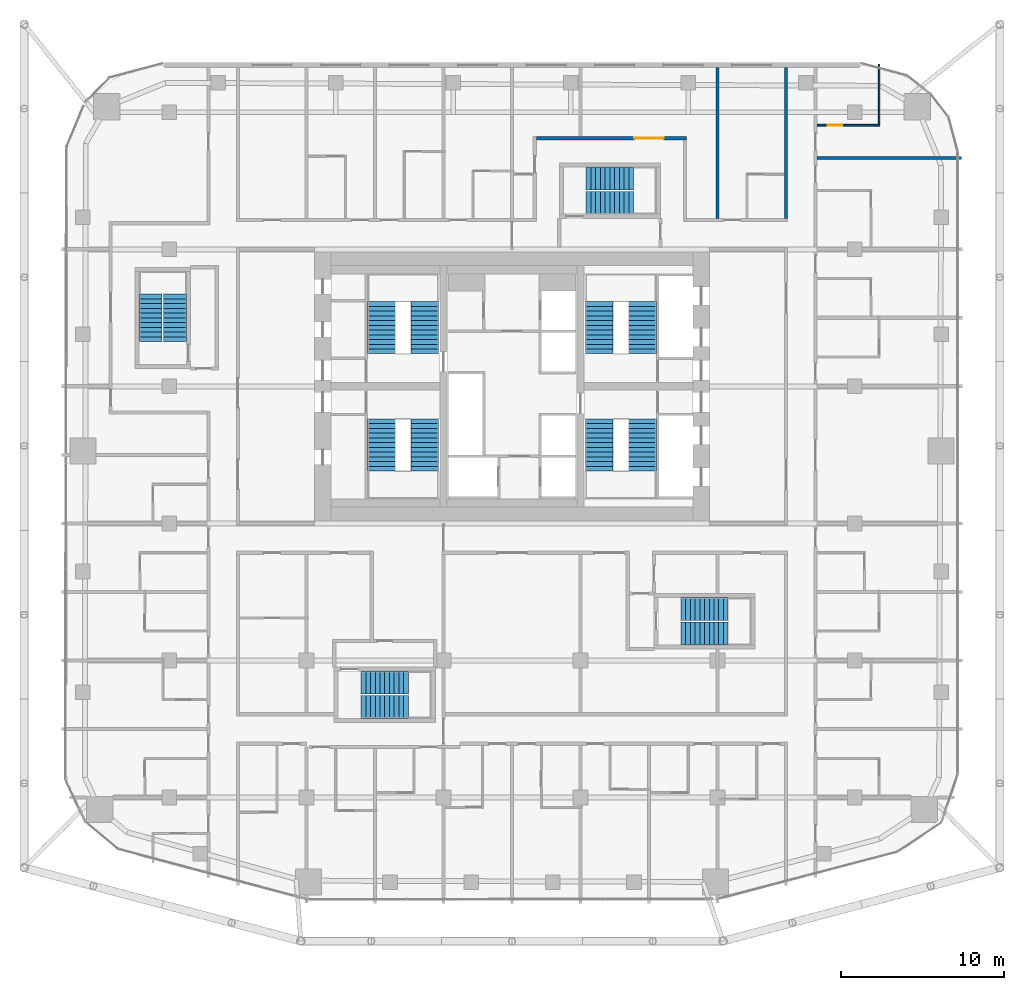
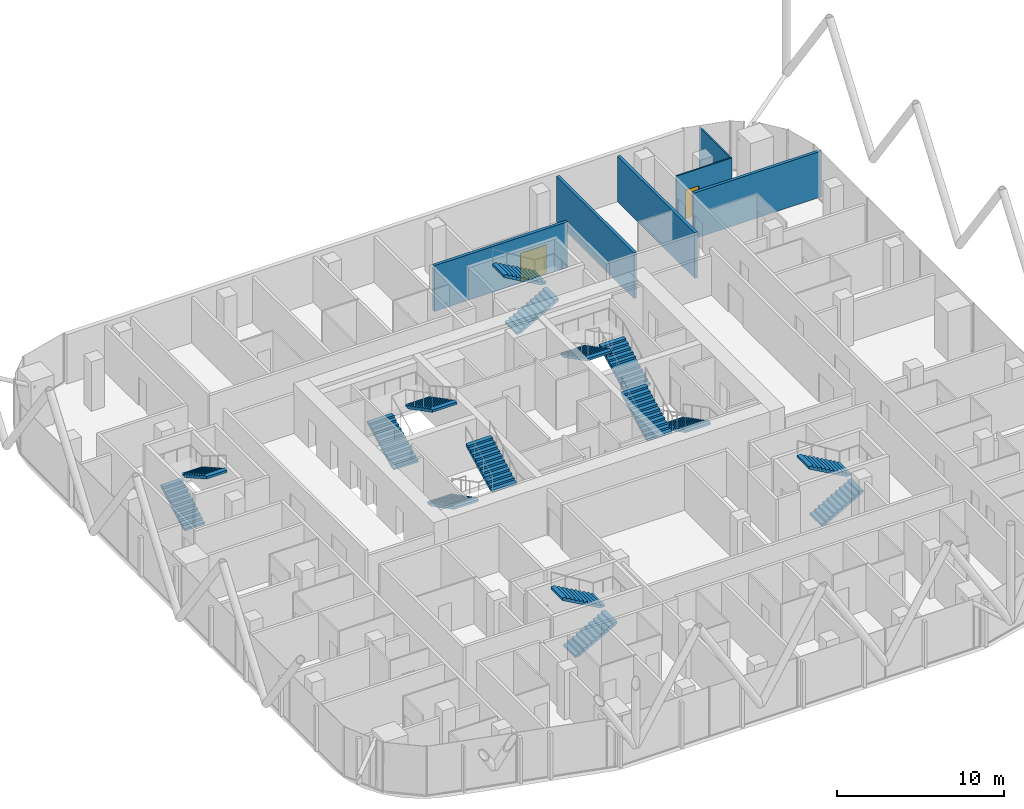
# One storey, part 31 of 33: 16 stair flights, 6 walls, 2 doors, 2 openings, 8 elements without a shape of their own.
"""IFC4 building model written with IfcOpenShell, lengths in metres."""

from ifc_helpers import new_model, si_unit, direction, frame, frame_2d, origin, place, context, subcontext, project, spatial, polyline, rectangle, outline, extrude, material, layer, layer_set, type_object, element, fill, aggregate, save


model = new_model("IFC4")

# Units and contexts
model_context = context("Model", 3, precision=1e-05, world=origin(), true_north=direction((0.0, 1.0)))
body_context = subcontext(model_context, "Body", "Model", "MODEL_VIEW")
ifc_project = project(units=[si_unit("LENGTHUNIT", "METRE"), si_unit("AREAUNIT", "SQUARE_METRE"), si_unit("VOLUMEUNIT", "CUBIC_METRE"), si_unit("PLANEANGLEUNIT", "RADIAN"), si_unit("MASSUNIT", "GRAM", prefix="KILO")], contexts=[model_context])

# Site, building, storey
site_placement = place(None, origin())
site = spatial("IfcSite", under=ifc_project, at=site_placement, CompositionType="ELEMENT")
building_placement = place(site_placement, origin())
building = spatial("IfcBuilding", under=site, at=building_placement, Name="Marenta Gate Hotel Tower", CompositionType="ELEMENT")
storey_placement = place(building_placement, frame((0.0, 0.0, 108.5)))
storey = spatial("IfcBuildingStorey", under=building, at=storey_placement, Name="L23", CompositionType="ELEMENT", Elevation=108.5)

# Wall
ifc_material_1 = material(Name="Gypsum board on steel stud", Category="steel")
ifc_layer_1 = layer(ifc_material_1, 0.199951171875)
ifc_layer_set_1 = layer_set([ifc_layer_1], Name="Gypsum board on steel stud")
wall_type_1 = type_object("IfcWallType", Name="Room corridor wall 200 EI 60", PredefinedType="PARTITIONING", material=ifc_layer_set_1)
wall_1_placement = place(storey_placement, frame((16.800048828125, 18.699951171875, 0.0), z_axis=(0.0, 0.0, 1.0), x_axis=(0.0, 1.0, 0.0)))
element("IfcWall", 1, at=wall_1_placement, inside=storey, type_object=wall_type_1, Name="L23-PTN-W018", PredefinedType="PARTITIONING", context=body_context, shape_type="SweptSolid", body=[
    extrude(rectangle(XDim=9.239990234375, YDim=0.199951171875, at=frame_2d((4.6201171875, 0.0))), origin(), (0.0, 0.0, 1.0), 3.340087890625),
])

# Wall, opening, door
wall_2_placement = place(storey_placement, frame((1.5, 23.60009765625, 0.0), z_axis=(0.0, 0.0, 1.0), x_axis=(1.0, 0.0, 0.0)))
wall_2 = element("IfcWall", 2, at=wall_2_placement, inside=storey, type_object=wall_type_1, Name="L23-PTN-W127", PredefinedType="PARTITIONING", context=body_context, shape_type="SweptSolid", body=[
    extrude(rectangle(XDim=9.199951171875, YDim=0.199951171875, at=frame_2d((4.60009765625, 0.0))), origin(), (0.0, 0.0, 1.0), 3.340087890625),
])
opening_1_placement = place(wall_2_placement, frame((6.0, 0.0, 0.0)))
opening_1 = element("IfcOpeningElement", 3, at=opening_1_placement, cuts=wall_2, Name="Opening G08-34", PredefinedType="OPENING", context=body_context, shape_type="SweptSolid", body=[
    extrude(rectangle(XDim=1.800048828125, YDim=2.10009765625, at=frame_2d((0.89990234375, 1.050048828125))), frame((0.0, 0.10009765625, 0.0), z_axis=(0.0, -1.0, 0.0), x_axis=(1.0, 0.0, 0.0)), (0.0, 0.0, 1.0), 0.199951171875),
])
ifc_material_2 = material(Name="Timber door leaf", Category="wood")
door_type_1 = type_object("IfcDoorType", Name="Room amenity door 1800x2100 EI 30", OperationType="DOUBLE_DOOR_SINGLE_SWING", PredefinedType="DOOR", material=ifc_material_2)
door_1_placement = place(opening_1_placement, origin())
door_1 = element("IfcDoor", 4, at=door_1_placement, inside=storey, type_object=door_type_1, Name="L23-PD-D034", OperationType="DOUBLE_DOOR_SINGLE_SWING", OverallHeight=2.10009765625, OverallWidth=1.800048828125, PredefinedType="DOOR", context=body_context, shape_type="SweptSolid", body=[
    extrude(rectangle(XDim=1.800048828125, YDim=2.10009765625, at=frame_2d((0.89990234375, 1.050048828125))), frame((0.0, 0.02490234375, 0.0), z_axis=(0.0, -1.0, 0.0), x_axis=(1.0, 0.0, 0.0)), (0.0, 0.0, 1.0), 0.050048828125),
])
fill(opening_1, door_1)

# Wall
ifc_material_3 = material(Name="Gypsum board on steel stud", Category="steel")
ifc_layer_2 = layer(ifc_material_3, 0.10009765625)
ifc_layer_set_2 = layer_set([ifc_layer_2], Name="Gypsum board on steel stud")
wall_type_2 = type_object("IfcWallType", Name="Room partition 100", PredefinedType="PARTITIONING", material=ifc_layer_set_2)
wall_3_placement = place(storey_placement, frame((22.5, 24.449951171875, 0.0), z_axis=(0.0, 0.0, 1.0), x_axis=(0.0, 1.0, 0.0)))
element("IfcWall", 5, at=wall_3_placement, inside=storey, type_object=wall_type_2, Name="L23-PTN-W004", PredefinedType="PARTITIONING", context=body_context, shape_type="SweptSolid", body=[
    extrude(rectangle(XDim=3.692138671875, YDim=0.10009765625, at=frame_2d((1.84619140625, 0.0))), origin(), (0.0, 0.0, 1.0), 3.340087890625),
])

# Wall, opening, door
wall_4_placement = place(storey_placement, frame((18.699951171875, 24.39990234375, 0.0), z_axis=(0.0, 0.0, 1.0), x_axis=(1.0, 0.0, 0.0)))
wall_4 = element("IfcWall", 6, at=wall_4_placement, inside=storey, type_object=wall_type_2, Name="L23-PTN-W128", PredefinedType="PARTITIONING", context=body_context, shape_type="SweptSolid", body=[
    extrude(rectangle(XDim=3.85009765625, YDim=0.10009765625, at=frame_2d((1.925048828125, 0.0))), origin(), (0.0, 0.0, 1.0), 3.340087890625),
])
opening_2_placement = place(wall_4_placement, frame((0.64501953125, 0.0, 0.0)))
opening_2 = element("IfcOpeningElement", 7, at=opening_2_placement, cuts=wall_4, Name="Opening G08-24", PredefinedType="OPENING", context=body_context, shape_type="SweptSolid", body=[
    extrude(rectangle(XDim=0.89990234375, YDim=2.10009765625, at=frame_2d((0.449951171875, 1.050048828125))), frame((0.0, 0.050048828125, 0.0), z_axis=(0.0, -1.0, 0.0), x_axis=(1.0, 0.0, 0.0)), (0.0, 0.0, 1.0), 0.10009765625),
])
ifc_material_4 = material(Name="Timber door leaf", Category="wood")
door_type_2 = type_object("IfcDoorType", Name="Guest bathroom door 900x2100", OperationType="NOTDEFINED", PredefinedType="DOOR", material=ifc_material_4)
door_2_placement = place(opening_2_placement, origin())
door_2 = element("IfcDoor", 8, at=door_2_placement, inside=storey, type_object=door_type_2, Name="L23-PD-D024", OperationType="SINGLE_SWING_RIGHT", OverallHeight=2.10009765625, OverallWidth=0.89990234375, PredefinedType="DOOR", context=body_context, shape_type="SweptSolid", body=[
    extrude(rectangle(XDim=0.89990234375, YDim=2.10009765625, at=frame_2d((0.449951171875, 1.050048828125))), frame((0.0, 0.02490234375, 0.0), z_axis=(0.0, -1.0, 0.0), x_axis=(1.0, 0.0, 0.0)), (0.0, 0.0, 1.0), 0.050048828125),
])
fill(opening_2, door_2)

# Walls
ifc_material_5 = material(Name="Gypsum board on steel stud", Category="steel")
ifc_layer_3 = layer(ifc_material_5, 0.199951171875)
ifc_layer_set_3 = layer_set([ifc_layer_3], Name="Gypsum board on steel stud")
wall_type_3 = type_object("IfcWallType", Name="Room party wall 200 EI 60", PredefinedType="PARTITIONING", material=ifc_layer_set_3)
wall_5_placement = place(storey_placement, frame((12.60009765625, 18.699951171875, 0.0), z_axis=(0.0, 0.0, 1.0), x_axis=(0.0, 1.0, 0.0)))
element("IfcWall", 9, at=wall_5_placement, inside=storey, type_object=wall_type_3, Name="L23-PTN-W034", PredefinedType="PARTITIONING", context=body_context, shape_type="SweptSolid", body=[
    extrude(rectangle(XDim=9.239990234375, YDim=0.199951171875, at=frame_2d((4.6201171875, 0.0))), origin(), (0.0, 0.0, 1.0), 3.340087890625),
])
wall_6_placement = place(storey_placement, frame((18.699951171875, 22.39990234375, 0.0), z_axis=(0.0, 0.0, 1.0), x_axis=(1.0, 0.0, 0.0)))
element("IfcWall", 10, at=wall_6_placement, inside=storey, type_object=wall_type_3, Name="L23-PTN-W121", PredefinedType="PARTITIONING", context=body_context, shape_type="SweptSolid", body=[
    extrude(rectangle(XDim=8.84716796875, YDim=0.199951171875, at=frame_2d((4.423583984375, 0.0))), origin(), (0.0, 0.0, 1.0), 3.340087890625),
])

# Stair, stair flights
ifc_material_6 = material(Name="Concrete C40", Category="concrete")
stair_type_1 = type_object("IfcStairType", Name="Core exit stair 1700 wide", PredefinedType="HALF_TURN_STAIR", material=ifc_material_6)
stair_1_placement = place(storey_placement, origin())
stair_1 = element("IfcStair", 11, at=stair_1_placement, inside=storey, type_object=stair_type_1, Name="Exit stair 1", PredefinedType="HALF_TURN_STAIR")
ifc_material_7 = material(Name="Concrete C40", Category="concrete")
stair_flight_type_1 = type_object("IfcStairFlightType", Name="Core stair flight 1700 riser 150.0 going 290", PredefinedType="STRAIGHT", material=ifc_material_7)
stair_flight_1_placement = place(storey_placement, frame((-8.0, 6.39990234375, 0.0), z_axis=(0.0, 0.0, 1.0), x_axis=(0.0, -1.0, 0.0)))
stair_flight_1 = element("IfcStairFlight", 12, at=stair_flight_1_placement, type_object=stair_flight_type_1, Name="ST1 flight 1", NumberOfRisers=12, NumberOfTreads=11, PredefinedType="STRAIGHT", RiserHeight=0.15, TreadLength=0.29, context=body_context, shape_type="SweptSolid", body=[
    extrude(outline(polyline([(0.0, 0.0), (0.0, 0.14990234375), (0.2900390625, 0.14990234375), (0.2900390625, 0.300048828125), (0.580078125, 0.300048828125), (0.580078125, 0.449951171875), (0.8701171875, 0.449951171875), (0.8701171875, 0.60009765625), (1.159912109375, 0.60009765625), (1.159912109375, 0.75), (1.449951171875, 0.75), (1.449951171875, 0.89990234375), (1.739990234375, 0.89990234375), (1.739990234375, 1.050048828125), (2.030029296875, 1.050048828125), (2.030029296875, 1.199951171875), (2.320068359375, 1.199951171875), (2.320068359375, 1.35009765625), (2.610107421875, 1.35009765625), (2.610107421875, 1.5), (2.89990234375, 1.5), (2.89990234375, 1.64990234375), (3.18994140625, 1.64990234375), (3.18994140625, 1.800048828125), (3.18994140625, 1.481201171875), (0.326171875, 0.0), (0.0, 0.0)])), frame((0.0, 0.85009765625, 0.0), z_axis=(0.0, -1.0, 0.0), x_axis=(1.0, 0.0, 0.0)), (0.0, 0.0, 1.0), 1.699951171875),
])
stair_flight_2_placement = place(storey_placement, frame((-5.35009765625, 3.2099609375, 1.800048828125), z_axis=(0.0, 0.0, 1.0), x_axis=(0.0, 1.0, 0.0)))
stair_flight_2 = element("IfcStairFlight", 13, at=stair_flight_2_placement, type_object=stair_flight_type_1, Name="ST1 flight 2", NumberOfRisers=12, NumberOfTreads=11, PredefinedType="STRAIGHT", RiserHeight=0.15, TreadLength=0.29, context=body_context, shape_type="SweptSolid", body=[
    extrude(outline(polyline([(0.0, 0.0), (0.0, 0.14990234375), (0.2900390625, 0.14990234375), (0.2900390625, 0.300048828125), (0.580078125, 0.300048828125), (0.580078125, 0.449951171875), (0.8701171875, 0.449951171875), (0.8701171875, 0.60009765625), (1.159912109375, 0.60009765625), (1.159912109375, 0.75), (1.449951171875, 0.75), (1.449951171875, 0.89990234375), (1.739990234375, 0.89990234375), (1.739990234375, 1.050048828125), (2.030029296875, 1.050048828125), (2.030029296875, 1.199951171875), (2.320068359375, 1.199951171875), (2.320068359375, 1.35009765625), (2.610107421875, 1.35009765625), (2.610107421875, 1.5), (2.89990234375, 1.5), (2.89990234375, 1.64990234375), (3.18994140625, 1.64990234375), (3.18994140625, 1.800048828125), (3.18994140625, 1.481201171875), (0.326171875, 0.0), (0.0, 0.0)])), frame((0.0, 0.85009765625, 0.0), z_axis=(0.0, -1.0, 0.0), x_axis=(1.0, 0.0, 0.0)), (0.0, 0.0, 1.0), 1.699951171875),
])
aggregate(stair_1, [stair_flight_1, stair_flight_2])

stair_2_placement = place(storey_placement, origin())
stair_2 = element("IfcStair", 14, at=stair_2_placement, inside=storey, type_object=stair_type_1, Name="Exit stair 2", PredefinedType="HALF_TURN_STAIR")
stair_flight_3_placement = place(storey_placement, frame((-8.0, 10.39990234375, 0.0), z_axis=(0.0, 0.0, 1.0), x_axis=(0.0, 1.0, 0.0)))
stair_flight_3 = element("IfcStairFlight", 15, at=stair_flight_3_placement, type_object=stair_flight_type_1, Name="ST2 flight 1", NumberOfRisers=12, NumberOfTreads=11, PredefinedType="STRAIGHT", RiserHeight=0.15, TreadLength=0.29, context=body_context, shape_type="SweptSolid", body=[
    extrude(outline(polyline([(0.0, 0.0), (0.0, 0.14990234375), (0.2900390625, 0.14990234375), (0.2900390625, 0.300048828125), (0.580078125, 0.300048828125), (0.580078125, 0.449951171875), (0.8701171875, 0.449951171875), (0.8701171875, 0.60009765625), (1.159912109375, 0.60009765625), (1.159912109375, 0.75), (1.449951171875, 0.75), (1.449951171875, 0.89990234375), (1.739990234375, 0.89990234375), (1.739990234375, 1.050048828125), (2.030029296875, 1.050048828125), (2.030029296875, 1.199951171875), (2.320068359375, 1.199951171875), (2.320068359375, 1.35009765625), (2.610107421875, 1.35009765625), (2.610107421875, 1.5), (2.89990234375, 1.5), (2.89990234375, 1.64990234375), (3.18994140625, 1.64990234375), (3.18994140625, 1.800048828125), (3.18994140625, 1.481201171875), (0.326171875, 0.0), (0.0, 0.0)])), frame((0.0, 0.85009765625, 0.0), z_axis=(0.0, -1.0, 0.0), x_axis=(1.0, 0.0, 0.0)), (0.0, 0.0, 1.0), 1.699951171875),
])
stair_flight_4_placement = place(storey_placement, frame((-5.35009765625, 13.590087890625, 1.800048828125), z_axis=(0.0, 0.0, 1.0), x_axis=(0.0, -1.0, 0.0)))
stair_flight_4 = element("IfcStairFlight", 16, at=stair_flight_4_placement, type_object=stair_flight_type_1, Name="ST2 flight 2", NumberOfRisers=12, NumberOfTreads=11, PredefinedType="STRAIGHT", RiserHeight=0.15, TreadLength=0.29, context=body_context, shape_type="SweptSolid", body=[
    extrude(outline(polyline([(0.0, 0.0), (0.0, 0.14990234375), (0.2900390625, 0.14990234375), (0.2900390625, 0.300048828125), (0.580078125, 0.300048828125), (0.580078125, 0.449951171875), (0.8701171875, 0.449951171875), (0.8701171875, 0.60009765625), (1.159912109375, 0.60009765625), (1.159912109375, 0.75), (1.449951171875, 0.75), (1.449951171875, 0.89990234375), (1.739990234375, 0.89990234375), (1.739990234375, 1.050048828125), (2.030029296875, 1.050048828125), (2.030029296875, 1.199951171875), (2.320068359375, 1.199951171875), (2.320068359375, 1.35009765625), (2.610107421875, 1.35009765625), (2.610107421875, 1.5), (2.89990234375, 1.5), (2.89990234375, 1.64990234375), (3.18994140625, 1.64990234375), (3.18994140625, 1.800048828125), (3.18994140625, 1.481201171875), (0.326171875, 0.0), (0.0, 0.0)])), frame((0.0, 0.85009765625, 0.0), z_axis=(0.0, -1.0, 0.0), x_axis=(1.0, 0.0, 0.0)), (0.0, 0.0, 1.0), 1.699951171875),
])
aggregate(stair_2, [stair_flight_3, stair_flight_4])

stair_3_placement = place(storey_placement, origin())
stair_3 = element("IfcStair", 17, at=stair_3_placement, inside=storey, type_object=stair_type_1, Name="Exit stair 3", PredefinedType="HALF_TURN_STAIR")
stair_flight_5_placement = place(storey_placement, frame((8.0, 6.39990234375, 0.0), z_axis=(0.0, 0.0, 1.0), x_axis=(0.0, -1.0, 0.0)))
stair_flight_5 = element("IfcStairFlight", 18, at=stair_flight_5_placement, type_object=stair_flight_type_1, Name="ST3 flight 1", NumberOfRisers=12, NumberOfTreads=11, PredefinedType="STRAIGHT", RiserHeight=0.15, TreadLength=0.29, context=body_context, shape_type="SweptSolid", body=[
    extrude(outline(polyline([(0.0, 0.0), (0.0, 0.14990234375), (0.2900390625, 0.14990234375), (0.2900390625, 0.300048828125), (0.580078125, 0.300048828125), (0.580078125, 0.449951171875), (0.8701171875, 0.449951171875), (0.8701171875, 0.60009765625), (1.159912109375, 0.60009765625), (1.159912109375, 0.75), (1.449951171875, 0.75), (1.449951171875, 0.89990234375), (1.739990234375, 0.89990234375), (1.739990234375, 1.050048828125), (2.030029296875, 1.050048828125), (2.030029296875, 1.199951171875), (2.320068359375, 1.199951171875), (2.320068359375, 1.35009765625), (2.610107421875, 1.35009765625), (2.610107421875, 1.5), (2.89990234375, 1.5), (2.89990234375, 1.64990234375), (3.18994140625, 1.64990234375), (3.18994140625, 1.800048828125), (3.18994140625, 1.481201171875), (0.326171875, 0.0), (0.0, 0.0)])), frame((0.0, 0.85009765625, 0.0), z_axis=(0.0, -1.0, 0.0), x_axis=(1.0, 0.0, 0.0)), (0.0, 0.0, 1.0), 1.699951171875),
])
stair_flight_6_placement = place(storey_placement, frame((5.35009765625, 3.2099609375, 1.800048828125), z_axis=(0.0, 0.0, 1.0), x_axis=(0.0, 1.0, 0.0)))
stair_flight_6 = element("IfcStairFlight", 19, at=stair_flight_6_placement, type_object=stair_flight_type_1, Name="ST3 flight 2", NumberOfRisers=12, NumberOfTreads=11, PredefinedType="STRAIGHT", RiserHeight=0.15, TreadLength=0.29, context=body_context, shape_type="SweptSolid", body=[
    extrude(outline(polyline([(0.0, 0.0), (0.0, 0.14990234375), (0.2900390625, 0.14990234375), (0.2900390625, 0.300048828125), (0.580078125, 0.300048828125), (0.580078125, 0.449951171875), (0.8701171875, 0.449951171875), (0.8701171875, 0.60009765625), (1.159912109375, 0.60009765625), (1.159912109375, 0.75), (1.449951171875, 0.75), (1.449951171875, 0.89990234375), (1.739990234375, 0.89990234375), (1.739990234375, 1.050048828125), (2.030029296875, 1.050048828125), (2.030029296875, 1.199951171875), (2.320068359375, 1.199951171875), (2.320068359375, 1.35009765625), (2.610107421875, 1.35009765625), (2.610107421875, 1.5), (2.89990234375, 1.5), (2.89990234375, 1.64990234375), (3.18994140625, 1.64990234375), (3.18994140625, 1.800048828125), (3.18994140625, 1.481201171875), (0.326171875, 0.0), (0.0, 0.0)])), frame((0.0, 0.85009765625, 0.0), z_axis=(0.0, -1.0, 0.0), x_axis=(1.0, 0.0, 0.0)), (0.0, 0.0, 1.0), 1.699951171875),
])
aggregate(stair_3, [stair_flight_5, stair_flight_6])

stair_4_placement = place(storey_placement, origin())
stair_4 = element("IfcStair", 20, at=stair_4_placement, inside=storey, type_object=stair_type_1, Name="Exit stair 4", PredefinedType="HALF_TURN_STAIR")
stair_flight_7_placement = place(storey_placement, frame((8.0, 10.39990234375, 0.0), z_axis=(0.0, 0.0, 1.0), x_axis=(0.0, 1.0, 0.0)))
stair_flight_7 = element("IfcStairFlight", 21, at=stair_flight_7_placement, type_object=stair_flight_type_1, Name="ST4 flight 1", NumberOfRisers=12, NumberOfTreads=11, PredefinedType="STRAIGHT", RiserHeight=0.15, TreadLength=0.29, context=body_context, shape_type="SweptSolid", body=[
    extrude(outline(polyline([(0.0, 0.0), (0.0, 0.14990234375), (0.2900390625, 0.14990234375), (0.2900390625, 0.300048828125), (0.580078125, 0.300048828125), (0.580078125, 0.449951171875), (0.8701171875, 0.449951171875), (0.8701171875, 0.60009765625), (1.159912109375, 0.60009765625), (1.159912109375, 0.75), (1.449951171875, 0.75), (1.449951171875, 0.89990234375), (1.739990234375, 0.89990234375), (1.739990234375, 1.050048828125), (2.030029296875, 1.050048828125), (2.030029296875, 1.199951171875), (2.320068359375, 1.199951171875), (2.320068359375, 1.35009765625), (2.610107421875, 1.35009765625), (2.610107421875, 1.5), (2.89990234375, 1.5), (2.89990234375, 1.64990234375), (3.18994140625, 1.64990234375), (3.18994140625, 1.800048828125), (3.18994140625, 1.481201171875), (0.326171875, 0.0), (0.0, 0.0)])), frame((0.0, 0.85009765625, 0.0), z_axis=(0.0, -1.0, 0.0), x_axis=(1.0, 0.0, 0.0)), (0.0, 0.0, 1.0), 1.699951171875),
])
stair_flight_8_placement = place(storey_placement, frame((5.35009765625, 13.590087890625, 1.800048828125), z_axis=(0.0, 0.0, 1.0), x_axis=(0.0, -1.0, 0.0)))
stair_flight_8 = element("IfcStairFlight", 22, at=stair_flight_8_placement, type_object=stair_flight_type_1, Name="ST4 flight 2", NumberOfRisers=12, NumberOfTreads=11, PredefinedType="STRAIGHT", RiserHeight=0.15, TreadLength=0.29, context=body_context, shape_type="SweptSolid", body=[
    extrude(outline(polyline([(0.0, 0.0), (0.0, 0.14990234375), (0.2900390625, 0.14990234375), (0.2900390625, 0.300048828125), (0.580078125, 0.300048828125), (0.580078125, 0.449951171875), (0.8701171875, 0.449951171875), (0.8701171875, 0.60009765625), (1.159912109375, 0.60009765625), (1.159912109375, 0.75), (1.449951171875, 0.75), (1.449951171875, 0.89990234375), (1.739990234375, 0.89990234375), (1.739990234375, 1.050048828125), (2.030029296875, 1.050048828125), (2.030029296875, 1.199951171875), (2.320068359375, 1.199951171875), (2.320068359375, 1.35009765625), (2.610107421875, 1.35009765625), (2.610107421875, 1.5), (2.89990234375, 1.5), (2.89990234375, 1.64990234375), (3.18994140625, 1.64990234375), (3.18994140625, 1.800048828125), (3.18994140625, 1.481201171875), (0.326171875, 0.0), (0.0, 0.0)])), frame((0.0, 0.85009765625, 0.0), z_axis=(0.0, -1.0, 0.0), x_axis=(1.0, 0.0, 0.0)), (0.0, 0.0, 1.0), 1.699951171875),
])
aggregate(stair_4, [stair_flight_7, stair_flight_8])

ifc_material_8 = material(Name="Concrete C40", Category="concrete")
stair_type_2 = type_object("IfcStairType", Name="Remote exit stair 1400 wide", PredefinedType="HALF_TURN_STAIR", material=ifc_material_8)
stair_5_placement = place(storey_placement, origin())
stair_5 = element("IfcStair", 23, at=stair_5_placement, inside=storey, type_object=stair_type_2, Name="Exit stair RS-Z1-3", PredefinedType="HALF_TURN_STAIR")
ifc_material_9 = material(Name="Concrete C40", Category="concrete")
stair_flight_type_2 = type_object("IfcStairFlightType", Name="Remote stair flight 1400 riser 163.6 going 290", PredefinedType="STRAIGHT", material=ifc_material_9)
stair_flight_9_placement = place(storey_placement, frame((-22.14990234375, 11.14990234375, 0.0), z_axis=(0.0, 0.0, 1.0), x_axis=(0.0, 1.0, 0.0)))
stair_flight_9 = element("IfcStairFlight", 24, at=stair_flight_9_placement, type_object=stair_flight_type_2, Name="RS-Z1-3 flight 1", NumberOfRisers=11, NumberOfTreads=10, PredefinedType="STRAIGHT", RiserHeight=0.163636, TreadLength=0.29, context=body_context, shape_type="SweptSolid", body=[
    extrude(outline(polyline([(0.0, 0.0), (0.0, 0.16357421875), (0.2900390625, 0.16357421875), (0.2900390625, 0.327392578125), (0.580078125, 0.327392578125), (0.580078125, 0.490966796875), (0.8701171875, 0.490966796875), (0.8701171875, 0.654541015625), (1.159912109375, 0.654541015625), (1.159912109375, 0.818115234375), (1.449951171875, 0.818115234375), (1.449951171875, 0.98193359375), (1.739990234375, 0.98193359375), (1.739990234375, 1.1455078125), (2.030029296875, 1.1455078125), (2.030029296875, 1.30908203125), (2.320068359375, 1.30908203125), (2.320068359375, 1.47265625), (2.610107421875, 1.47265625), (2.610107421875, 1.636474609375), (2.89990234375, 1.636474609375), (2.89990234375, 1.800048828125), (2.89990234375, 1.46435546875), (0.304931640625, 0.0), (0.0, 0.0)])), frame((0.0, 0.699951171875, 0.0), z_axis=(0.0, -1.0, 0.0), x_axis=(1.0, 0.0, 0.0)), (0.0, 0.0, 1.0), 1.39990234375),
])
stair_flight_10_placement = place(storey_placement, frame((-20.64990234375, 14.050048828125, 1.800048828125), z_axis=(0.0, 0.0, 1.0), x_axis=(0.0, -1.0, 0.0)))
stair_flight_10 = element("IfcStairFlight", 25, at=stair_flight_10_placement, type_object=stair_flight_type_2, Name="RS-Z1-3 flight 2", NumberOfRisers=11, NumberOfTreads=10, PredefinedType="STRAIGHT", RiserHeight=0.163636, TreadLength=0.29, context=body_context, shape_type="SweptSolid", body=[
    extrude(outline(polyline([(0.0, 0.0), (0.0, 0.16357421875), (0.2900390625, 0.16357421875), (0.2900390625, 0.327392578125), (0.580078125, 0.327392578125), (0.580078125, 0.490966796875), (0.8701171875, 0.490966796875), (0.8701171875, 0.654541015625), (1.159912109375, 0.654541015625), (1.159912109375, 0.818115234375), (1.449951171875, 0.818115234375), (1.449951171875, 0.98193359375), (1.739990234375, 0.98193359375), (1.739990234375, 1.1455078125), (2.030029296875, 1.1455078125), (2.030029296875, 1.30908203125), (2.320068359375, 1.30908203125), (2.320068359375, 1.47265625), (2.610107421875, 1.47265625), (2.610107421875, 1.636474609375), (2.89990234375, 1.636474609375), (2.89990234375, 1.800048828125), (2.89990234375, 1.46435546875), (0.304931640625, 0.0), (0.0, 0.0)])), frame((0.0, 0.699951171875, 0.0), z_axis=(0.0, -1.0, 0.0), x_axis=(1.0, 0.0, 0.0)), (0.0, 0.0, 1.0), 1.39990234375),
])
aggregate(stair_5, [stair_flight_9, stair_flight_10])

stair_6_placement = place(storey_placement, origin())
stair_6 = element("IfcStair", 26, at=stair_6_placement, inside=storey, type_object=stair_type_2, Name="Exit stair RS-Z2-1", PredefinedType="HALF_TURN_STAIR")
stair_flight_11_placement = place(storey_placement, frame((-9.25, -11.25, 0.0), z_axis=(0.0, 0.0, 1.0), x_axis=(1.0, 0.0, 0.0)))
stair_flight_11 = element("IfcStairFlight", 27, at=stair_flight_11_placement, type_object=stair_flight_type_2, Name="RS-Z2-1 flight 1", NumberOfRisers=11, NumberOfTreads=10, PredefinedType="STRAIGHT", RiserHeight=0.163636, TreadLength=0.29, context=body_context, shape_type="SweptSolid", body=[
    extrude(outline(polyline([(0.0, 0.0), (0.0, 0.16357421875), (0.2900390625, 0.16357421875), (0.2900390625, 0.327392578125), (0.580078125, 0.327392578125), (0.580078125, 0.490966796875), (0.8701171875, 0.490966796875), (0.8701171875, 0.654541015625), (1.159912109375, 0.654541015625), (1.159912109375, 0.818115234375), (1.449951171875, 0.818115234375), (1.449951171875, 0.98193359375), (1.739990234375, 0.98193359375), (1.739990234375, 1.1455078125), (2.030029296875, 1.1455078125), (2.030029296875, 1.30908203125), (2.320068359375, 1.30908203125), (2.320068359375, 1.47265625), (2.610107421875, 1.47265625), (2.610107421875, 1.636474609375), (2.89990234375, 1.636474609375), (2.89990234375, 1.800048828125), (2.89990234375, 1.46435546875), (0.304931640625, 0.0), (0.0, 0.0)])), frame((0.0, 0.699951171875, 0.0), z_axis=(0.0, -1.0, 0.0), x_axis=(1.0, 0.0, 0.0)), (0.0, 0.0, 1.0), 1.39990234375),
])
stair_flight_12_placement = place(storey_placement, frame((-6.35009765625, -9.75, 1.800048828125), z_axis=(0.0, 0.0, 1.0), x_axis=(-1.0, 0.0, 0.0)))
stair_flight_12 = element("IfcStairFlight", 28, at=stair_flight_12_placement, type_object=stair_flight_type_2, Name="RS-Z2-1 flight 2", NumberOfRisers=11, NumberOfTreads=10, PredefinedType="STRAIGHT", RiserHeight=0.163636, TreadLength=0.29, context=body_context, shape_type="SweptSolid", body=[
    extrude(outline(polyline([(0.0, 0.0), (0.0, 0.16357421875), (0.2900390625, 0.16357421875), (0.2900390625, 0.327392578125), (0.580078125, 0.327392578125), (0.580078125, 0.490966796875), (0.8701171875, 0.490966796875), (0.8701171875, 0.654541015625), (1.159912109375, 0.654541015625), (1.159912109375, 0.818115234375), (1.449951171875, 0.818115234375), (1.449951171875, 0.98193359375), (1.739990234375, 0.98193359375), (1.739990234375, 1.1455078125), (2.030029296875, 1.1455078125), (2.030029296875, 1.30908203125), (2.320068359375, 1.30908203125), (2.320068359375, 1.47265625), (2.610107421875, 1.47265625), (2.610107421875, 1.636474609375), (2.89990234375, 1.636474609375), (2.89990234375, 1.800048828125), (2.89990234375, 1.46435546875), (0.304931640625, 0.0), (0.0, 0.0)])), frame((0.0, 0.699951171875, 0.0), z_axis=(0.0, -1.0, 0.0), x_axis=(1.0, 0.0, 0.0)), (0.0, 0.0, 1.0), 1.39990234375),
])
aggregate(stair_6, [stair_flight_11, stair_flight_12])

stair_7_placement = place(storey_placement, origin())
stair_7 = element("IfcStair", 29, at=stair_7_placement, inside=storey, type_object=stair_type_2, Name="Exit stair RS-Z2-2", PredefinedType="HALF_TURN_STAIR")
stair_flight_13_placement = place(storey_placement, frame((10.35009765625, -6.75, 0.0), z_axis=(0.0, 0.0, 1.0), x_axis=(1.0, 0.0, 0.0)))
stair_flight_13 = element("IfcStairFlight", 30, at=stair_flight_13_placement, type_object=stair_flight_type_2, Name="RS-Z2-2 flight 1", NumberOfRisers=11, NumberOfTreads=10, PredefinedType="STRAIGHT", RiserHeight=0.163636, TreadLength=0.29, context=body_context, shape_type="SweptSolid", body=[
    extrude(outline(polyline([(0.0, 0.0), (0.0, 0.16357421875), (0.2900390625, 0.16357421875), (0.2900390625, 0.327392578125), (0.580078125, 0.327392578125), (0.580078125, 0.490966796875), (0.8701171875, 0.490966796875), (0.8701171875, 0.654541015625), (1.159912109375, 0.654541015625), (1.159912109375, 0.818115234375), (1.449951171875, 0.818115234375), (1.449951171875, 0.98193359375), (1.739990234375, 0.98193359375), (1.739990234375, 1.1455078125), (2.030029296875, 1.1455078125), (2.030029296875, 1.30908203125), (2.320068359375, 1.30908203125), (2.320068359375, 1.47265625), (2.610107421875, 1.47265625), (2.610107421875, 1.636474609375), (2.89990234375, 1.636474609375), (2.89990234375, 1.800048828125), (2.89990234375, 1.46435546875), (0.304931640625, 0.0), (0.0, 0.0)])), frame((0.0, 0.699951171875, 0.0), z_axis=(0.0, -1.0, 0.0), x_axis=(1.0, 0.0, 0.0)), (0.0, 0.0, 1.0), 1.39990234375),
])
stair_flight_14_placement = place(storey_placement, frame((13.25, -5.25, 1.800048828125), z_axis=(0.0, 0.0, 1.0), x_axis=(-1.0, 0.0, 0.0)))
stair_flight_14 = element("IfcStairFlight", 31, at=stair_flight_14_placement, type_object=stair_flight_type_2, Name="RS-Z2-2 flight 2", NumberOfRisers=11, NumberOfTreads=10, PredefinedType="STRAIGHT", RiserHeight=0.163636, TreadLength=0.29, context=body_context, shape_type="SweptSolid", body=[
    extrude(outline(polyline([(0.0, 0.0), (0.0, 0.16357421875), (0.2900390625, 0.16357421875), (0.2900390625, 0.327392578125), (0.580078125, 0.327392578125), (0.580078125, 0.490966796875), (0.8701171875, 0.490966796875), (0.8701171875, 0.654541015625), (1.159912109375, 0.654541015625), (1.159912109375, 0.818115234375), (1.449951171875, 0.818115234375), (1.449951171875, 0.98193359375), (1.739990234375, 0.98193359375), (1.739990234375, 1.1455078125), (2.030029296875, 1.1455078125), (2.030029296875, 1.30908203125), (2.320068359375, 1.30908203125), (2.320068359375, 1.47265625), (2.610107421875, 1.47265625), (2.610107421875, 1.636474609375), (2.89990234375, 1.636474609375), (2.89990234375, 1.800048828125), (2.89990234375, 1.46435546875), (0.304931640625, 0.0), (0.0, 0.0)])), frame((0.0, 0.699951171875, 0.0), z_axis=(0.0, -1.0, 0.0), x_axis=(1.0, 0.0, 0.0)), (0.0, 0.0, 1.0), 1.39990234375),
])
aggregate(stair_7, [stair_flight_13, stair_flight_14])

stair_8_placement = place(storey_placement, origin())
stair_8 = element("IfcStair", 32, at=stair_8_placement, inside=storey, type_object=stair_type_2, Name="Exit stair RS-Z2-4", PredefinedType="HALF_TURN_STAIR")
stair_flight_15_placement = place(storey_placement, frame((4.550048828125, 19.64990234375, 0.0), z_axis=(0.0, 0.0, 1.0), x_axis=(1.0, 0.0, 0.0)))
stair_flight_15 = element("IfcStairFlight", 33, at=stair_flight_15_placement, type_object=stair_flight_type_2, Name="RS-Z2-4 flight 1", NumberOfRisers=11, NumberOfTreads=10, PredefinedType="STRAIGHT", RiserHeight=0.163636, TreadLength=0.29, context=body_context, shape_type="SweptSolid", body=[
    extrude(outline(polyline([(0.0, 0.0), (0.0, 0.16357421875), (0.2900390625, 0.16357421875), (0.2900390625, 0.327392578125), (0.580078125, 0.327392578125), (0.580078125, 0.490966796875), (0.8701171875, 0.490966796875), (0.8701171875, 0.654541015625), (1.159912109375, 0.654541015625), (1.159912109375, 0.818115234375), (1.449951171875, 0.818115234375), (1.449951171875, 0.98193359375), (1.739990234375, 0.98193359375), (1.739990234375, 1.1455078125), (2.030029296875, 1.1455078125), (2.030029296875, 1.30908203125), (2.320068359375, 1.30908203125), (2.320068359375, 1.47265625), (2.610107421875, 1.47265625), (2.610107421875, 1.636474609375), (2.89990234375, 1.636474609375), (2.89990234375, 1.800048828125), (2.89990234375, 1.46435546875), (0.304931640625, 0.0), (0.0, 0.0)])), frame((0.0, 0.699951171875, 0.0), z_axis=(0.0, -1.0, 0.0), x_axis=(1.0, 0.0, 0.0)), (0.0, 0.0, 1.0), 1.39990234375),
])
stair_flight_16_placement = place(storey_placement, frame((7.449951171875, 21.14990234375, 1.800048828125), z_axis=(0.0, 0.0, 1.0), x_axis=(-1.0, 0.0, 0.0)))
stair_flight_16 = element("IfcStairFlight", 34, at=stair_flight_16_placement, type_object=stair_flight_type_2, Name="RS-Z2-4 flight 2", NumberOfRisers=11, NumberOfTreads=10, PredefinedType="STRAIGHT", RiserHeight=0.163636, TreadLength=0.29, context=body_context, shape_type="SweptSolid", body=[
    extrude(outline(polyline([(0.0, 0.0), (0.0, 0.16357421875), (0.2900390625, 0.16357421875), (0.2900390625, 0.327392578125), (0.580078125, 0.327392578125), (0.580078125, 0.490966796875), (0.8701171875, 0.490966796875), (0.8701171875, 0.654541015625), (1.159912109375, 0.654541015625), (1.159912109375, 0.818115234375), (1.449951171875, 0.818115234375), (1.449951171875, 0.98193359375), (1.739990234375, 0.98193359375), (1.739990234375, 1.1455078125), (2.030029296875, 1.1455078125), (2.030029296875, 1.30908203125), (2.320068359375, 1.30908203125), (2.320068359375, 1.47265625), (2.610107421875, 1.47265625), (2.610107421875, 1.636474609375), (2.89990234375, 1.636474609375), (2.89990234375, 1.800048828125), (2.89990234375, 1.46435546875), (0.304931640625, 0.0), (0.0, 0.0)])), frame((0.0, 0.699951171875, 0.0), z_axis=(0.0, -1.0, 0.0), x_axis=(1.0, 0.0, 0.0)), (0.0, 0.0, 1.0), 1.39990234375),
])
aggregate(stair_8, [stair_flight_15, stair_flight_16])

save(model, "model.ifc")
